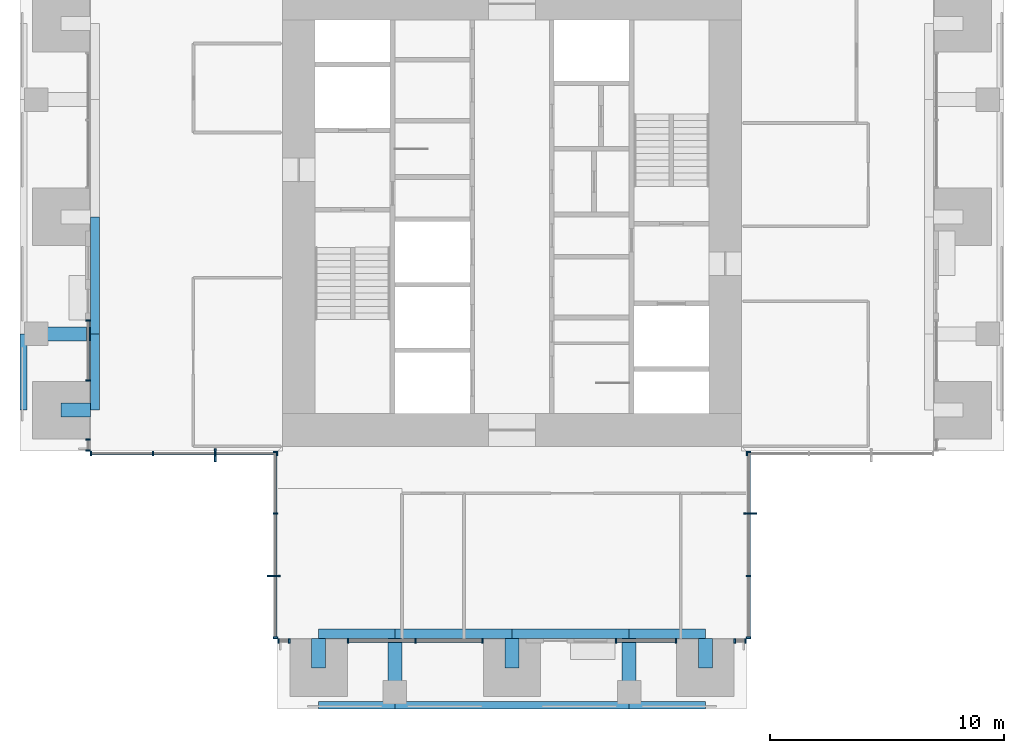
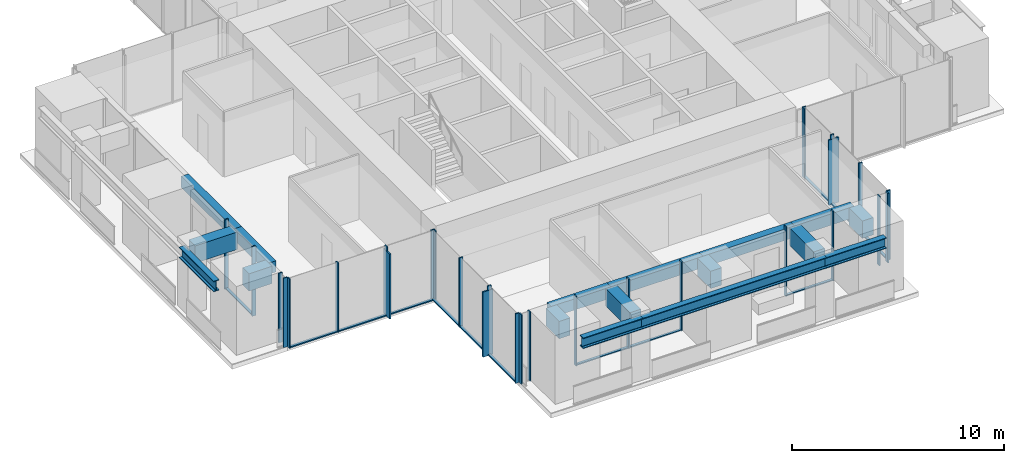
# One storey, part 2 of 17: 42 members, 17 beams, 10 elements without a shape of their own.
"""IFC4 building model written with IfcOpenShell, lengths in metres."""

from ifc_helpers import new_model, si_unit, direction, frame, origin, origin_2d, place, context, subcontext, project, spatial, rectangle, i_section, extrude, material, material_profile, profile_set, type_object, element, aggregate, save


model = new_model("IFC4")

# Units and contexts
model_context = context("Model", 3, precision=1e-05, world=origin(), true_north=direction((0.0, 1.0)))
body_context = subcontext(model_context, "Body", "Model", "MODEL_VIEW")
ifc_project = project(units=[si_unit("LENGTHUNIT", "METRE"), si_unit("AREAUNIT", "SQUARE_METRE"), si_unit("VOLUMEUNIT", "CUBIC_METRE"), si_unit("PLANEANGLEUNIT", "RADIAN"), si_unit("MASSUNIT", "GRAM", prefix="KILO")], contexts=[model_context])

# Site, building, storey
site_placement = place(None, origin())
site = spatial("IfcSite", under=ifc_project, at=site_placement, CompositionType="ELEMENT")
building_placement = place(site_placement, origin())
building = spatial("IfcBuilding", under=site, at=building_placement, Name="Svetlomir Tower", CompositionType="ELEMENT")
storey_placement = place(building_placement, frame((0.0, 0.0, 170.5)))
storey = spatial("IfcBuildingStorey", under=building, at=storey_placement, Name="L40", CompositionType="ELEMENT", Elevation=170.5)

# Curtain wall, member
ifc_material_1 = material(Name="Bronze anodised aluminium curtain wall", Category="aluminium")
curtain_wall_type = type_object("IfcCurtainWallType", Name="CURTAIN WALL CW1 TOWER OFFICE", PredefinedType="NOTDEFINED", material=ifc_material_1)
curtain_wall_1_placement = place(storey_placement, origin())
curtain_wall_1 = element("IfcCurtainWall", 1, at=curtain_wall_1_placement, inside=storey, type_object=curtain_wall_type, Name="Curtain wall CW1 L40", PredefinedType="NOTDEFINED")
ifc_material_2 = material(Name="Bronze anodised aluminium", Category="aluminium")
ifc_material_profile_1 = material_profile(ifc_material_2, rectangle(XDim=0.080078125, YDim=0.550048828125, at=origin_2d()), Name="FIN 80x550")
ifc_profile_set_1 = profile_set([ifc_material_profile_1], Name="Bronze anodised aluminium 6063-T6")
member_type_1 = type_object("IfcMemberType", Name="BRONZE FIN 80x550", PredefinedType="USERDEFINED", material=ifc_profile_set_1)
member_1_placement = place(storey_placement, frame((31.175048828125, 8.333251953125, 0.0), z_axis=(0.0, 0.0, 1.0), x_axis=(0.0, 1.0, 0.0)))
member_1 = element("IfcMember", 2, at=member_1_placement, type_object=member_type_1, Name="Bronze fin L40", ObjectType="FIN", PredefinedType="USERDEFINED", context=body_context, shape_type="SweptSolid", body=[
    extrude(rectangle(XDim=0.080078125, YDim=0.550048828125, at=origin_2d()), origin(), (0.0, 0.0, 1.0), 3.75),
])

curtain_wall_2_placement = place(storey_placement, origin())
curtain_wall_2 = element("IfcCurtainWall", 3, at=curtain_wall_2_placement, inside=storey, type_object=curtain_wall_type, Name="Curtain wall CW1 L40", PredefinedType="NOTDEFINED")
member_2_placement = place(storey_placement, frame((8.333251953125, 10.824951171875, 0.0), z_axis=(0.0, 0.0, 1.0), x_axis=(1.0, 0.0, 0.0)))
member_2 = element("IfcMember", 4, at=member_2_placement, type_object=member_type_1, Name="Bronze fin L40", ObjectType="FIN", PredefinedType="USERDEFINED", context=body_context, shape_type="SweptSolid", body=[
    extrude(rectangle(XDim=0.080078125, YDim=0.550048828125, at=origin_2d()), origin(), (0.0, 0.0, 1.0), 3.75),
])

curtain_wall_3_placement = place(storey_placement, origin())
curtain_wall_3 = element("IfcCurtainWall", 5, at=curtain_wall_3_placement, inside=storey, type_object=curtain_wall_type, Name="Curtain wall CW1 L40", PredefinedType="NOTDEFINED")
member_3_placement = place(storey_placement, frame((10.824951171875, 5.666748046875, 0.0), z_axis=(0.0, 0.0, 1.0), x_axis=(0.0, 1.0, 0.0)))
member_3 = element("IfcMember", 6, at=member_3_placement, type_object=member_type_1, Name="Bronze fin L40", ObjectType="FIN", PredefinedType="USERDEFINED", context=body_context, shape_type="SweptSolid", body=[
    extrude(rectangle(XDim=0.080078125, YDim=0.550048828125, at=origin_2d()), origin(), (0.0, 0.0, 1.0), 3.75),
])

# Curtain wall, members
curtain_wall_4_placement = place(storey_placement, origin())
curtain_wall_4 = element("IfcCurtainWall", 7, at=curtain_wall_4_placement, inside=storey, type_object=curtain_wall_type, Name="Curtain wall CW1 L40", PredefinedType="NOTDEFINED")
ifc_material_3 = material(Name="Bronze anodised aluminium", Category="aluminium")
ifc_material_profile_2 = material_profile(ifc_material_3, rectangle(XDim=0.06494140625, YDim=0.199951171875, at=origin_2d()), Name="AL 65x200")
ifc_profile_set_2 = profile_set([ifc_material_profile_2], Name="Bronze anodised aluminium 6063-T6")
member_type_2 = type_object("IfcMemberType", Name="CW1 MULLION 65x200", PredefinedType="MULLION", material=ifc_profile_set_2)
member_4_placement = place(storey_placement, frame((11.032470703125, 2.89990234375, 0.0), z_axis=(0.0, 0.0, 1.0), x_axis=(1.0, 0.0, 0.0)))
member_4 = element("IfcMember", 8, at=member_4_placement, type_object=member_type_2, Name="CW1 mullion 1", PredefinedType="MULLION", context=body_context, shape_type="SweptSolid", body=[
    extrude(rectangle(XDim=0.06494140625, YDim=0.199951171875, at=origin_2d()), origin(), (0.0, 0.0, 1.0), 4.0),
])
member_5_placement = place(storey_placement, frame((11.492431640625, 2.89990234375, 0.0), z_axis=(0.0, 0.0, 1.0), x_axis=(1.0, 0.0, 0.0)))
member_5 = element("IfcMember", 9, at=member_5_placement, type_object=member_type_2, Name="CW1 mullion 2", PredefinedType="MULLION", context=body_context, shape_type="SweptSolid", body=[
    extrude(rectangle(XDim=0.06494140625, YDim=0.199951171875, at=origin_2d()), origin(), (0.0, 0.0, 1.0), 4.0),
])
aggregate(curtain_wall_4, [member_4, member_5])

curtain_wall_5_placement = place(storey_placement, origin())
curtain_wall_5 = element("IfcCurtainWall", 10, at=curtain_wall_5_placement, inside=storey, type_object=curtain_wall_type, Name="Curtain wall CW1 L40", PredefinedType="NOTDEFINED")
member_6_placement = place(storey_placement, frame((14.007568359375, 2.89990234375, 0.0), z_axis=(0.0, 0.0, 1.0), x_axis=(1.0, 0.0, 0.0)))
member_6 = element("IfcMember", 11, at=member_6_placement, type_object=member_type_2, Name="CW1 mullion 1", PredefinedType="MULLION", context=body_context, shape_type="SweptSolid", body=[
    extrude(rectangle(XDim=0.06494140625, YDim=0.199951171875, at=origin_2d()), origin(), (0.0, 0.0, 1.0), 4.0),
])
member_7_placement = place(storey_placement, frame((16.875, 2.89990234375, 0.0), z_axis=(0.0, 0.0, 1.0), x_axis=(1.0, 0.0, 0.0)))
member_7 = element("IfcMember", 12, at=member_7_placement, type_object=member_type_2, Name="CW1 mullion 2", PredefinedType="MULLION", context=body_context, shape_type="SweptSolid", body=[
    extrude(rectangle(XDim=0.06494140625, YDim=0.199951171875, at=origin_2d()), origin(), (0.0, 0.0, 1.0), 4.0),
])
member_8_placement = place(storey_placement, frame((19.742431640625, 2.89990234375, 0.0), z_axis=(0.0, 0.0, 1.0), x_axis=(1.0, 0.0, 0.0)))
member_8 = element("IfcMember", 13, at=member_8_placement, type_object=member_type_2, Name="CW1 mullion 3", PredefinedType="MULLION", context=body_context, shape_type="SweptSolid", body=[
    extrude(rectangle(XDim=0.06494140625, YDim=0.199951171875, at=origin_2d()), origin(), (0.0, 0.0, 1.0), 4.0),
])

curtain_wall_6_placement = place(storey_placement, origin())
curtain_wall_6 = element("IfcCurtainWall", 14, at=curtain_wall_6_placement, inside=storey, type_object=curtain_wall_type, Name="Curtain wall CW1 L40", PredefinedType="NOTDEFINED")
member_9_placement = place(storey_placement, frame((25.4326171875, 2.89990234375, 0.0), z_axis=(0.0, 0.0, 1.0), x_axis=(1.0, 0.0, 0.0)))
member_9 = element("IfcMember", 15, at=member_9_placement, type_object=member_type_2, Name="CW1 mullion 1", PredefinedType="MULLION", context=body_context, shape_type="SweptSolid", body=[
    extrude(rectangle(XDim=0.06494140625, YDim=0.199951171875, at=origin_2d()), origin(), (0.0, 0.0, 1.0), 4.0),
])
member_10_placement = place(storey_placement, frame((27.992431640625, 2.89990234375, 0.0), z_axis=(0.0, 0.0, 1.0), x_axis=(1.0, 0.0, 0.0)))
member_10 = element("IfcMember", 16, at=member_10_placement, type_object=member_type_2, Name="CW1 mullion 2", PredefinedType="MULLION", context=body_context, shape_type="SweptSolid", body=[
    extrude(rectangle(XDim=0.06494140625, YDim=0.199951171875, at=origin_2d()), origin(), (0.0, 0.0, 1.0), 4.0),
])

curtain_wall_7_placement = place(storey_placement, origin())
curtain_wall_7 = element("IfcCurtainWall", 17, at=curtain_wall_7_placement, inside=storey, type_object=curtain_wall_type, Name="Curtain wall CW1 L40", PredefinedType="NOTDEFINED")
member_11_placement = place(storey_placement, frame((30.507568359375, 2.89990234375, 0.0), z_axis=(0.0, 0.0, 1.0), x_axis=(1.0, 0.0, 0.0)))
member_11 = element("IfcMember", 18, at=member_11_placement, type_object=member_type_2, Name="CW1 mullion 1", PredefinedType="MULLION", context=body_context, shape_type="SweptSolid", body=[
    extrude(rectangle(XDim=0.06494140625, YDim=0.199951171875, at=origin_2d()), origin(), (0.0, 0.0, 1.0), 4.0),
])
member_12_placement = place(storey_placement, frame((30.967529296875, 2.89990234375, 0.0), z_axis=(0.0, 0.0, 1.0), x_axis=(1.0, 0.0, 0.0)))
member_12 = element("IfcMember", 19, at=member_12_placement, type_object=member_type_2, Name="CW1 mullion 2", PredefinedType="MULLION", context=body_context, shape_type="SweptSolid", body=[
    extrude(rectangle(XDim=0.06494140625, YDim=0.199951171875, at=origin_2d()), origin(), (0.0, 0.0, 1.0), 4.0),
])
aggregate(curtain_wall_7, [member_11, member_12])

# Member
member_13_placement = place(storey_placement, frame((31.10009765625, 3.032470703125, 0.0), z_axis=(0.0, 0.0, 1.0), x_axis=(0.0, 1.0, 0.0)))
member_13 = element("IfcMember", 20, at=member_13_placement, type_object=member_type_2, Name="CW1 mullion 1", PredefinedType="MULLION", context=body_context, shape_type="SweptSolid", body=[
    extrude(rectangle(XDim=0.06494140625, YDim=0.199951171875, at=origin_2d()), origin(), (0.0, 0.0, 1.0), 4.0),
])

member_14_placement = place(storey_placement, frame((31.10009765625, 5.666748046875, 0.0), z_axis=(0.0, 0.0, 1.0), x_axis=(0.0, 1.0, 0.0)))
member_14 = element("IfcMember", 21, at=member_14_placement, type_object=member_type_2, Name="CW1 mullion 2", PredefinedType="MULLION", context=body_context, shape_type="SweptSolid", body=[
    extrude(rectangle(XDim=0.06494140625, YDim=0.199951171875, at=origin_2d()), origin(), (0.0, 0.0, 1.0), 4.0),
])

member_15_placement = place(storey_placement, frame((31.10009765625, 8.333251953125, 0.0), z_axis=(0.0, 0.0, 1.0), x_axis=(0.0, 1.0, 0.0)))
member_15 = element("IfcMember", 22, at=member_15_placement, type_object=member_type_2, Name="CW1 mullion 3", PredefinedType="MULLION", context=body_context, shape_type="SweptSolid", body=[
    extrude(rectangle(XDim=0.06494140625, YDim=0.199951171875, at=origin_2d()), origin(), (0.0, 0.0, 1.0), 4.0),
])

member_16_placement = place(storey_placement, frame((31.10009765625, 10.967529296875, 0.0), z_axis=(0.0, 0.0, 1.0), x_axis=(0.0, 1.0, 0.0)))
member_16 = element("IfcMember", 23, at=member_16_placement, type_object=member_type_2, Name="CW1 mullion 4", PredefinedType="MULLION", context=body_context, shape_type="SweptSolid", body=[
    extrude(rectangle(XDim=0.06494140625, YDim=0.199951171875, at=origin_2d()), origin(), (0.0, 0.0, 1.0), 4.0),
])

# Curtain wall, member
curtain_wall_8_placement = place(storey_placement, origin())
curtain_wall_8 = element("IfcCurtainWall", 24, at=curtain_wall_8_placement, inside=storey, type_object=curtain_wall_type, Name="Curtain wall CW1 L40", PredefinedType="NOTDEFINED")
member_17_placement = place(storey_placement, frame((31.032470703125, 10.89990234375, 0.0), z_axis=(0.0, 0.0, 1.0), x_axis=(1.0, 0.0, 0.0)))
member_17 = element("IfcMember", 25, at=member_17_placement, type_object=member_type_2, Name="CW1 mullion 1", PredefinedType="MULLION", context=body_context, shape_type="SweptSolid", body=[
    extrude(rectangle(XDim=0.06494140625, YDim=0.199951171875, at=origin_2d()), origin(), (0.0, 0.0, 1.0), 4.0),
])
aggregate(curtain_wall_8, [member_17])

# Curtain wall, members
curtain_wall_9_placement = place(storey_placement, origin())
curtain_wall_9 = element("IfcCurtainWall", 26, at=curtain_wall_9_placement, inside=storey, type_object=curtain_wall_type, Name="Curtain wall CW1 L40", PredefinedType="NOTDEFINED")
member_18_placement = place(storey_placement, frame((2.89990234375, 16.5673828125, 0.0), z_axis=(0.0, 0.0, 1.0), x_axis=(0.0, -1.0, 0.0)))
member_18 = element("IfcMember", 27, at=member_18_placement, type_object=member_type_2, Name="CW1 mullion 1", PredefinedType="MULLION", context=body_context, shape_type="SweptSolid", body=[
    extrude(rectangle(XDim=0.06494140625, YDim=0.199951171875, at=origin_2d()), origin(), (0.0, 0.0, 1.0), 4.0),
])
member_19_placement = place(storey_placement, frame((2.89990234375, 14.007568359375, 0.0), z_axis=(0.0, 0.0, 1.0), x_axis=(0.0, -1.0, 0.0)))
member_19 = element("IfcMember", 28, at=member_19_placement, type_object=member_type_2, Name="CW1 mullion 2", PredefinedType="MULLION", context=body_context, shape_type="SweptSolid", body=[
    extrude(rectangle(XDim=0.06494140625, YDim=0.199951171875, at=origin_2d()), origin(), (0.0, 0.0, 1.0), 4.0),
])

curtain_wall_10_placement = place(storey_placement, origin())
curtain_wall_10 = element("IfcCurtainWall", 29, at=curtain_wall_10_placement, inside=storey, type_object=curtain_wall_type, Name="Curtain wall CW1 L40", PredefinedType="NOTDEFINED")
member_20_placement = place(storey_placement, frame((2.89990234375, 11.492431640625, 0.0), z_axis=(0.0, 0.0, 1.0), x_axis=(0.0, -1.0, 0.0)))
member_20 = element("IfcMember", 30, at=member_20_placement, type_object=member_type_2, Name="CW1 mullion 1", PredefinedType="MULLION", context=body_context, shape_type="SweptSolid", body=[
    extrude(rectangle(XDim=0.06494140625, YDim=0.199951171875, at=origin_2d()), origin(), (0.0, 0.0, 1.0), 4.0),
])
member_21_placement = place(storey_placement, frame((2.89990234375, 11.032470703125, 0.0), z_axis=(0.0, 0.0, 1.0), x_axis=(0.0, -1.0, 0.0)))
member_21 = element("IfcMember", 31, at=member_21_placement, type_object=member_type_2, Name="CW1 mullion 2", PredefinedType="MULLION", context=body_context, shape_type="SweptSolid", body=[
    extrude(rectangle(XDim=0.06494140625, YDim=0.199951171875, at=origin_2d()), origin(), (0.0, 0.0, 1.0), 4.0),
])
aggregate(curtain_wall_10, [member_20, member_21])

# Member
member_22_placement = place(storey_placement, frame((3.032470703125, 10.89990234375, 0.0), z_axis=(0.0, 0.0, 1.0), x_axis=(1.0, 0.0, 0.0)))
member_22 = element("IfcMember", 32, at=member_22_placement, type_object=member_type_2, Name="CW1 mullion 1", PredefinedType="MULLION", context=body_context, shape_type="SweptSolid", body=[
    extrude(rectangle(XDim=0.06494140625, YDim=0.199951171875, at=origin_2d()), origin(), (0.0, 0.0, 1.0), 4.0),
])

member_23_placement = place(storey_placement, frame((5.666748046875, 10.89990234375, 0.0), z_axis=(0.0, 0.0, 1.0), x_axis=(1.0, 0.0, 0.0)))
member_23 = element("IfcMember", 33, at=member_23_placement, type_object=member_type_2, Name="CW1 mullion 2", PredefinedType="MULLION", context=body_context, shape_type="SweptSolid", body=[
    extrude(rectangle(XDim=0.06494140625, YDim=0.199951171875, at=origin_2d()), origin(), (0.0, 0.0, 1.0), 4.0),
])

member_24_placement = place(storey_placement, frame((8.333251953125, 10.89990234375, 0.0), z_axis=(0.0, 0.0, 1.0), x_axis=(1.0, 0.0, 0.0)))
member_24 = element("IfcMember", 34, at=member_24_placement, type_object=member_type_2, Name="CW1 mullion 3", PredefinedType="MULLION", context=body_context, shape_type="SweptSolid", body=[
    extrude(rectangle(XDim=0.06494140625, YDim=0.199951171875, at=origin_2d()), origin(), (0.0, 0.0, 1.0), 4.0),
])

member_25_placement = place(storey_placement, frame((10.967529296875, 10.89990234375, 0.0), z_axis=(0.0, 0.0, 1.0), x_axis=(1.0, 0.0, 0.0)))
member_25 = element("IfcMember", 35, at=member_25_placement, type_object=member_type_2, Name="CW1 mullion 4", PredefinedType="MULLION", context=body_context, shape_type="SweptSolid", body=[
    extrude(rectangle(XDim=0.06494140625, YDim=0.199951171875, at=origin_2d()), origin(), (0.0, 0.0, 1.0), 4.0),
])

member_26_placement = place(storey_placement, frame((10.89990234375, 10.967529296875, 0.0), z_axis=(0.0, 0.0, 1.0), x_axis=(0.0, -1.0, 0.0)))
member_26 = element("IfcMember", 36, at=member_26_placement, type_object=member_type_2, Name="CW1 mullion 1", PredefinedType="MULLION", context=body_context, shape_type="SweptSolid", body=[
    extrude(rectangle(XDim=0.06494140625, YDim=0.199951171875, at=origin_2d()), origin(), (0.0, 0.0, 1.0), 4.0),
])

member_27_placement = place(storey_placement, frame((10.89990234375, 8.333251953125, 0.0), z_axis=(0.0, 0.0, 1.0), x_axis=(0.0, -1.0, 0.0)))
member_27 = element("IfcMember", 37, at=member_27_placement, type_object=member_type_2, Name="CW1 mullion 2", PredefinedType="MULLION", context=body_context, shape_type="SweptSolid", body=[
    extrude(rectangle(XDim=0.06494140625, YDim=0.199951171875, at=origin_2d()), origin(), (0.0, 0.0, 1.0), 4.0),
])

member_28_placement = place(storey_placement, frame((10.89990234375, 5.666748046875, 0.0), z_axis=(0.0, 0.0, 1.0), x_axis=(0.0, -1.0, 0.0)))
member_28 = element("IfcMember", 38, at=member_28_placement, type_object=member_type_2, Name="CW1 mullion 3", PredefinedType="MULLION", context=body_context, shape_type="SweptSolid", body=[
    extrude(rectangle(XDim=0.06494140625, YDim=0.199951171875, at=origin_2d()), origin(), (0.0, 0.0, 1.0), 4.0),
])

member_29_placement = place(storey_placement, frame((10.89990234375, 3.032470703125, 0.0), z_axis=(0.0, 0.0, 1.0), x_axis=(0.0, -1.0, 0.0)))
member_29 = element("IfcMember", 39, at=member_29_placement, type_object=member_type_2, Name="CW1 mullion 4", PredefinedType="MULLION", context=body_context, shape_type="SweptSolid", body=[
    extrude(rectangle(XDim=0.06494140625, YDim=0.199951171875, at=origin_2d()), origin(), (0.0, 0.0, 1.0), 4.0),
])

ifc_material_4 = material(Name="Bronze anodised aluminium", Category="aluminium")
ifc_material_profile_3 = material_profile(ifc_material_4, rectangle(XDim=0.139892578125, YDim=0.06494140625, at=origin_2d()), Name="AL 140x65")
ifc_profile_set_3 = profile_set([ifc_material_profile_3], Name="Bronze anodised aluminium 6063-T6")
member_type_3 = type_object("IfcMemberType", Name="CW1 TRANSOM 65x140", PredefinedType="USERDEFINED", material=ifc_profile_set_3)
member_30_placement = place(storey_placement, frame((14.0400390625, 2.89990234375, 0.032470703125), z_axis=(1.0, 0.0, 0.0), x_axis=(0.0, 1.0, 0.0)))
member_30 = element("IfcMember", 40, at=member_30_placement, type_object=member_type_3, Name="CW1 transom 1.1", ObjectType="TRANSOM", PredefinedType="USERDEFINED", context=body_context, shape_type="SweptSolid", body=[
    extrude(rectangle(XDim=0.139892578125, YDim=0.06494140625, at=origin_2d()), origin(), (0.0, 0.0, 1.0), 2.802490234375),
])

member_31_placement = place(storey_placement, frame((16.907470703125, 2.89990234375, 0.032470703125), z_axis=(1.0, 0.0, 0.0), x_axis=(0.0, 1.0, 0.0)))
member_31 = element("IfcMember", 41, at=member_31_placement, type_object=member_type_3, Name="CW1 transom 2.1", ObjectType="TRANSOM", PredefinedType="USERDEFINED", context=body_context, shape_type="SweptSolid", body=[
    extrude(rectangle(XDim=0.139892578125, YDim=0.06494140625, at=origin_2d()), origin(), (0.0, 0.0, 1.0), 2.802490234375),
])

aggregate(curtain_wall_5, [member_6, member_7, member_8, member_30, member_31])

member_32_placement = place(storey_placement, frame((25.465087890625, 2.89990234375, 0.032470703125), z_axis=(1.0, 0.0, 0.0), x_axis=(0.0, 1.0, 0.0)))
member_32 = element("IfcMember", 42, at=member_32_placement, type_object=member_type_3, Name="CW1 transom 1.1", ObjectType="TRANSOM", PredefinedType="USERDEFINED", context=body_context, shape_type="SweptSolid", body=[
    extrude(rectangle(XDim=0.139892578125, YDim=0.06494140625, at=origin_2d()), origin(), (0.0, 0.0, 1.0), 2.494873046875),
])

aggregate(curtain_wall_6, [member_9, member_10, member_32])

member_33_placement = place(storey_placement, frame((31.10009765625, 3.06494140625, 0.032470703125), z_axis=(0.0, 1.0, 0.0), x_axis=(-1.0, 0.0, 0.0)))
member_33 = element("IfcMember", 43, at=member_33_placement, type_object=member_type_3, Name="CW1 transom 1.1", ObjectType="TRANSOM", PredefinedType="USERDEFINED", context=body_context, shape_type="SweptSolid", body=[
    extrude(rectangle(XDim=0.139892578125, YDim=0.06494140625, at=origin_2d()), origin(), (0.0, 0.0, 1.0), 2.5693359375),
])

member_34_placement = place(storey_placement, frame((31.10009765625, 5.69921875, 0.032470703125), z_axis=(0.0, 1.0, 0.0), x_axis=(-1.0, 0.0, 0.0)))
member_34 = element("IfcMember", 44, at=member_34_placement, type_object=member_type_3, Name="CW1 transom 2.1", ObjectType="TRANSOM", PredefinedType="USERDEFINED", context=body_context, shape_type="SweptSolid", body=[
    extrude(rectangle(XDim=0.139892578125, YDim=0.06494140625, at=origin_2d()), origin(), (0.0, 0.0, 1.0), 2.6015625),
])

member_35_placement = place(storey_placement, frame((31.10009765625, 8.36572265625, 0.032470703125), z_axis=(0.0, 1.0, 0.0), x_axis=(-1.0, 0.0, 0.0)))
member_35 = element("IfcMember", 45, at=member_35_placement, type_object=member_type_3, Name="CW1 transom 3.1", ObjectType="TRANSOM", PredefinedType="USERDEFINED", context=body_context, shape_type="SweptSolid", body=[
    extrude(rectangle(XDim=0.139892578125, YDim=0.06494140625, at=origin_2d()), origin(), (0.0, 0.0, 1.0), 2.5693359375),
])

aggregate(curtain_wall_1, [member_13, member_14, member_15, member_16, member_33, member_34, member_35, member_1])

member_36_placement = place(storey_placement, frame((2.89990234375, 16.534912109375, 0.032470703125), z_axis=(0.0, -1.0, 0.0), x_axis=(1.0, 0.0, 0.0)))
member_36 = element("IfcMember", 46, at=member_36_placement, type_object=member_type_3, Name="CW1 transom 1.1", ObjectType="TRANSOM", PredefinedType="USERDEFINED", context=body_context, shape_type="SweptSolid", body=[
    extrude(rectangle(XDim=0.139892578125, YDim=0.06494140625, at=origin_2d()), origin(), (0.0, 0.0, 1.0), 2.494873046875),
])

aggregate(curtain_wall_9, [member_18, member_19, member_36])

member_37_placement = place(storey_placement, frame((3.06494140625, 10.89990234375, 0.032470703125), z_axis=(1.0, 0.0, 0.0), x_axis=(0.0, 1.0, 0.0)))
member_37 = element("IfcMember", 47, at=member_37_placement, type_object=member_type_3, Name="CW1 transom 1.1", ObjectType="TRANSOM", PredefinedType="USERDEFINED", context=body_context, shape_type="SweptSolid", body=[
    extrude(rectangle(XDim=0.139892578125, YDim=0.06494140625, at=origin_2d()), origin(), (0.0, 0.0, 1.0), 2.5693359375),
])

member_38_placement = place(storey_placement, frame((5.69921875, 10.89990234375, 0.032470703125), z_axis=(1.0, 0.0, 0.0), x_axis=(0.0, 1.0, 0.0)))
member_38 = element("IfcMember", 48, at=member_38_placement, type_object=member_type_3, Name="CW1 transom 2.1", ObjectType="TRANSOM", PredefinedType="USERDEFINED", context=body_context, shape_type="SweptSolid", body=[
    extrude(rectangle(XDim=0.139892578125, YDim=0.06494140625, at=origin_2d()), origin(), (0.0, 0.0, 1.0), 2.6015625),
])

member_39_placement = place(storey_placement, frame((8.36572265625, 10.89990234375, 0.032470703125), z_axis=(1.0, 0.0, 0.0), x_axis=(0.0, 1.0, 0.0)))
member_39 = element("IfcMember", 49, at=member_39_placement, type_object=member_type_3, Name="CW1 transom 3.1", ObjectType="TRANSOM", PredefinedType="USERDEFINED", context=body_context, shape_type="SweptSolid", body=[
    extrude(rectangle(XDim=0.139892578125, YDim=0.06494140625, at=origin_2d()), origin(), (0.0, 0.0, 1.0), 2.5693359375),
])

aggregate(curtain_wall_2, [member_22, member_23, member_24, member_25, member_37, member_38, member_39, member_2])

member_40_placement = place(storey_placement, frame((10.89990234375, 10.93505859375, 0.032470703125), z_axis=(0.0, -1.0, 0.0), x_axis=(1.0, 0.0, 0.0)))
member_40 = element("IfcMember", 50, at=member_40_placement, type_object=member_type_3, Name="CW1 transom 1.1", ObjectType="TRANSOM", PredefinedType="USERDEFINED", context=body_context, shape_type="SweptSolid", body=[
    extrude(rectangle(XDim=0.139892578125, YDim=0.06494140625, at=origin_2d()), origin(), (0.0, 0.0, 1.0), 2.5693359375),
])

member_41_placement = place(storey_placement, frame((10.89990234375, 8.30078125, 0.032470703125), z_axis=(0.0, -1.0, 0.0), x_axis=(1.0, 0.0, 0.0)))
member_41 = element("IfcMember", 51, at=member_41_placement, type_object=member_type_3, Name="CW1 transom 2.1", ObjectType="TRANSOM", PredefinedType="USERDEFINED", context=body_context, shape_type="SweptSolid", body=[
    extrude(rectangle(XDim=0.139892578125, YDim=0.06494140625, at=origin_2d()), origin(), (0.0, 0.0, 1.0), 2.6015625),
])

member_42_placement = place(storey_placement, frame((10.89990234375, 5.63427734375, 0.032470703125), z_axis=(0.0, -1.0, 0.0), x_axis=(1.0, 0.0, 0.0)))
member_42 = element("IfcMember", 52, at=member_42_placement, type_object=member_type_3, Name="CW1 transom 3.1", ObjectType="TRANSOM", PredefinedType="USERDEFINED", context=body_context, shape_type="SweptSolid", body=[
    extrude(rectangle(XDim=0.139892578125, YDim=0.06494140625, at=origin_2d()), origin(), (0.0, 0.0, 1.0), 2.5693359375),
])

aggregate(curtain_wall_3, [member_26, member_27, member_28, member_29, member_40, member_41, member_42, member_3])

# Beams
ifc_material_5 = material(Name="Steel S355", Category="steel")
ifc_material_profile_4 = material_profile(ifc_material_5, i_section(OverallWidth=0.304931640625, OverallDepth=0.6201171875, WebThickness=0.02099609375, FlangeThickness=0.0400390625, FilletRadius=0.027099609375, at=origin_2d()), Name="HEM 600")
ifc_profile_set_4 = profile_set([ifc_material_profile_4], Name="Steel S355")
beam_type_1 = type_object("IfcBeamType", Name="EDGE BEAM HEM 600", PredefinedType="SPANDREL", material=ifc_profile_set_4)
for number, where, z_axis, x_axis, name in (
    (53, (12.75, 0.152587890625, 3.43994140625), (1.0, 0.0, 0.0), (0.0, 1.0, 0.0), "Edge beam 11/0 to 16/0 under L41"),
    (54, (0.152587890625, 12.75, 3.43994140625), (0.0, 1.0, 0.0), (-1.0, 0.0, 0.0), "Edge beam 0/11 to 0/16 under L41"),
):
    element("IfcBeam", number, at=place(storey_placement, frame(where, z_axis=z_axis, x_axis=x_axis)), inside=storey, type_object=beam_type_1, Name=name, PredefinedType="SPANDREL", context=body_context, shape_type="SweptSolid", body=[
        extrude(i_section(OverallWidth=0.304931640625, OverallDepth=0.6201171875, WebThickness=0.02099609375, FlangeThickness=0.0400390625, FilletRadius=0.027099609375, at=origin_2d()), origin(), (0.0, 0.0, 1.0), 3.25),
    ])
beam_1_placement = place(storey_placement, frame((16.0, 0.152587890625, 3.43994140625), z_axis=(1.0, 0.0, 0.0), x_axis=(0.0, 1.0, 0.0)))
element("IfcBeam", 55, at=beam_1_placement, inside=storey, type_object=beam_type_1, Name="Edge beam 16/0 to 26/0 under L41", PredefinedType="SPANDREL", context=body_context, shape_type="SweptSolid", body=[
    extrude(i_section(OverallWidth=0.304931640625, OverallDepth=0.6201171875, WebThickness=0.02099609375, FlangeThickness=0.0400390625, FilletRadius=0.027099609375, at=origin_2d()), origin(), (0.0, 0.0, 1.0), 10.0),
])
beam_2_placement = place(storey_placement, frame((26.0, 0.152587890625, 3.43994140625), z_axis=(1.0, 0.0, 0.0), x_axis=(0.0, 1.0, 0.0)))
element("IfcBeam", 56, at=beam_2_placement, inside=storey, type_object=beam_type_1, Name="Edge beam 26/0 to 31/0 under L41", PredefinedType="SPANDREL", context=body_context, shape_type="SweptSolid", body=[
    extrude(i_section(OverallWidth=0.304931640625, OverallDepth=0.6201171875, WebThickness=0.02099609375, FlangeThickness=0.0400390625, FilletRadius=0.027099609375, at=origin_2d()), origin(), (0.0, 0.0, 1.0), 3.25),
])
ifc_material_6 = material(Name="Concrete C60/75", Category="concrete")
ifc_material_profile_5 = material_profile(ifc_material_6, rectangle(XDim=0.39990234375, YDim=0.64990234375, at=origin_2d()), Name="RC 400x650")
ifc_profile_set_5 = profile_set([ifc_material_profile_5], Name="Concrete C60/75")
beam_type_2 = type_object("IfcBeamType", Name="FACADE EDGE BEAM RC 400x650", PredefinedType="BEAM", material=ifc_profile_set_5)
beam_3_placement = place(storey_placement, frame((12.75, 3.199951171875, 3.425048828125), z_axis=(1.0, 0.0, 0.0), x_axis=(0.0, 1.0, 0.0)))
element("IfcBeam", 57, at=beam_3_placement, inside=storey, type_object=beam_type_2, Name="Facade edge beam S 11 to 16 under L41", PredefinedType="BEAM", context=body_context, shape_type="SweptSolid", body=[
    extrude(rectangle(XDim=0.39990234375, YDim=0.64990234375, at=origin_2d()), origin(), (0.0, 0.0, 1.0), 3.25),
])
for number, where, z_axis, x_axis, name in (
    (58, (16.0, 3.199951171875, 3.425048828125), (1.0, 0.0, 0.0), (0.0, 1.0, 0.0), "Facade edge beam S 16 to 21 under L41"),
    (59, (21.0, 3.199951171875, 3.425048828125), (1.0, 0.0, 0.0), (0.0, 1.0, 0.0), "Facade edge beam S 21 to 26 under L41"),
):
    element("IfcBeam", number, at=place(storey_placement, frame(where, z_axis=z_axis, x_axis=x_axis)), inside=storey, type_object=beam_type_2, Name=name, PredefinedType="BEAM", context=body_context, shape_type="SweptSolid", body=[
        extrude(rectangle(XDim=0.39990234375, YDim=0.64990234375, at=origin_2d()), origin(), (0.0, 0.0, 1.0), 5.0),
    ])
for number, where, z_axis, x_axis, name in (
    (60, (26.0, 3.199951171875, 3.425048828125), (1.0, 0.0, 0.0), (0.0, 1.0, 0.0), "Facade edge beam S 26 to 31 under L41"),
    (61, (3.199951171875, 12.75, 3.425048828125), (0.0, 1.0, 0.0), (-1.0, 0.0, 0.0), "Facade edge beam W 11 to 16 under L41"),
):
    element("IfcBeam", number, at=place(storey_placement, frame(where, z_axis=z_axis, x_axis=x_axis)), inside=storey, type_object=beam_type_2, Name=name, PredefinedType="BEAM", context=body_context, shape_type="SweptSolid", body=[
        extrude(rectangle(XDim=0.39990234375, YDim=0.64990234375, at=origin_2d()), origin(), (0.0, 0.0, 1.0), 3.25),
    ])
beam_4_placement = place(storey_placement, frame((3.199951171875, 16.0, 3.425048828125), z_axis=(0.0, 1.0, 0.0), x_axis=(-1.0, 0.0, 0.0)))
element("IfcBeam", 62, at=beam_4_placement, inside=storey, type_object=beam_type_2, Name="Facade edge beam W 16 to 21 under L41", PredefinedType="BEAM", context=body_context, shape_type="SweptSolid", body=[
    extrude(rectangle(XDim=0.39990234375, YDim=0.64990234375, at=origin_2d()), origin(), (0.0, 0.0, 1.0), 5.0),
])
ifc_material_7 = material(Name="Concrete C60/75", Category="concrete")
ifc_material_profile_6 = material_profile(ifc_material_7, rectangle(XDim=0.60009765625, YDim=1.0, at=origin_2d()), Name="RC 600x1000")
ifc_profile_set_6 = profile_set([ifc_material_profile_6], Name="Concrete C60/75")
beam_type_3 = type_object("IfcBeamType", Name="LOGGIA LINK BEAM RC 600x1000", PredefinedType="BEAM", material=ifc_profile_set_6)
beam_5_placement = place(storey_placement, frame((12.75, 1.75, 3.25), z_axis=(0.0, 1.0, 0.0), x_axis=(-1.0, 0.0, 0.0)))
element("IfcBeam", 63, at=beam_5_placement, inside=storey, type_object=beam_type_3, Name="Loggia link beam S 11 under L41", PredefinedType="BEAM", context=body_context, shape_type="SweptSolid", body=[
    extrude(rectangle(XDim=0.60009765625, YDim=1.0, at=origin_2d()), origin(), (0.0, 0.0, 1.0), 1.25),
])
beam_6_placement = place(storey_placement, frame((16.0, 0.699951171875, 3.25), z_axis=(0.0, 1.0, 0.0), x_axis=(-1.0, 0.0, 0.0)))
element("IfcBeam", 64, at=beam_6_placement, inside=storey, type_object=beam_type_3, Name="Loggia link beam S 16 under L41", PredefinedType="BEAM", context=body_context, shape_type="SweptSolid", body=[
    extrude(rectangle(XDim=0.60009765625, YDim=1.0, at=origin_2d()), origin(), (0.0, 0.0, 1.0), 2.300048828125),
])
beam_7_placement = place(storey_placement, frame((21.0, 1.75, 3.25), z_axis=(0.0, 1.0, 0.0), x_axis=(-1.0, 0.0, 0.0)))
element("IfcBeam", 65, at=beam_7_placement, inside=storey, type_object=beam_type_3, Name="Loggia link beam S 21 under L41", PredefinedType="BEAM", context=body_context, shape_type="SweptSolid", body=[
    extrude(rectangle(XDim=0.60009765625, YDim=1.0, at=origin_2d()), origin(), (0.0, 0.0, 1.0), 1.25),
])
beam_8_placement = place(storey_placement, frame((26.0, 0.699951171875, 3.25), z_axis=(0.0, 1.0, 0.0), x_axis=(-1.0, 0.0, 0.0)))
element("IfcBeam", 66, at=beam_8_placement, inside=storey, type_object=beam_type_3, Name="Loggia link beam S 26 under L41", PredefinedType="BEAM", context=body_context, shape_type="SweptSolid", body=[
    extrude(rectangle(XDim=0.60009765625, YDim=1.0, at=origin_2d()), origin(), (0.0, 0.0, 1.0), 2.300048828125),
])
for number, where, z_axis, x_axis, name in (
    (67, (29.25, 1.75, 3.25), (0.0, 1.0, 0.0), (-1.0, 0.0, 0.0), "Loggia link beam S 31 under L41"),
    (68, (1.75, 12.75, 3.25), (1.0, 0.0, 0.0), (0.0, 1.0, 0.0), "Loggia link beam W 11 under L41"),
):
    element("IfcBeam", number, at=place(storey_placement, frame(where, z_axis=z_axis, x_axis=x_axis)), inside=storey, type_object=beam_type_3, Name=name, PredefinedType="BEAM", context=body_context, shape_type="SweptSolid", body=[
        extrude(rectangle(XDim=0.60009765625, YDim=1.0, at=origin_2d()), origin(), (0.0, 0.0, 1.0), 1.25),
    ])
beam_9_placement = place(storey_placement, frame((0.699951171875, 16.0, 3.25), z_axis=(1.0, 0.0, 0.0), x_axis=(0.0, 1.0, 0.0)))
element("IfcBeam", 69, at=beam_9_placement, inside=storey, type_object=beam_type_3, Name="Loggia link beam W 16 under L41", PredefinedType="BEAM", context=body_context, shape_type="SweptSolid", body=[
    extrude(rectangle(XDim=0.60009765625, YDim=1.0, at=origin_2d()), origin(), (0.0, 0.0, 1.0), 2.300048828125),
])

save(model, "model.ifc")
